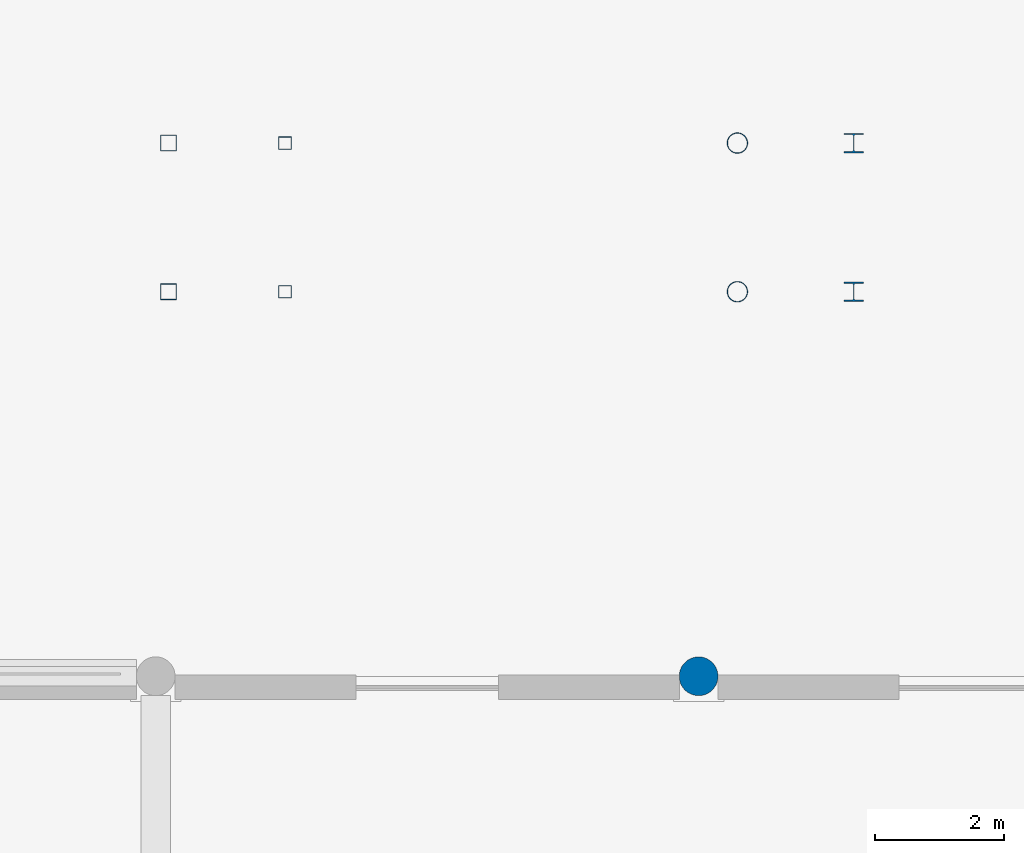
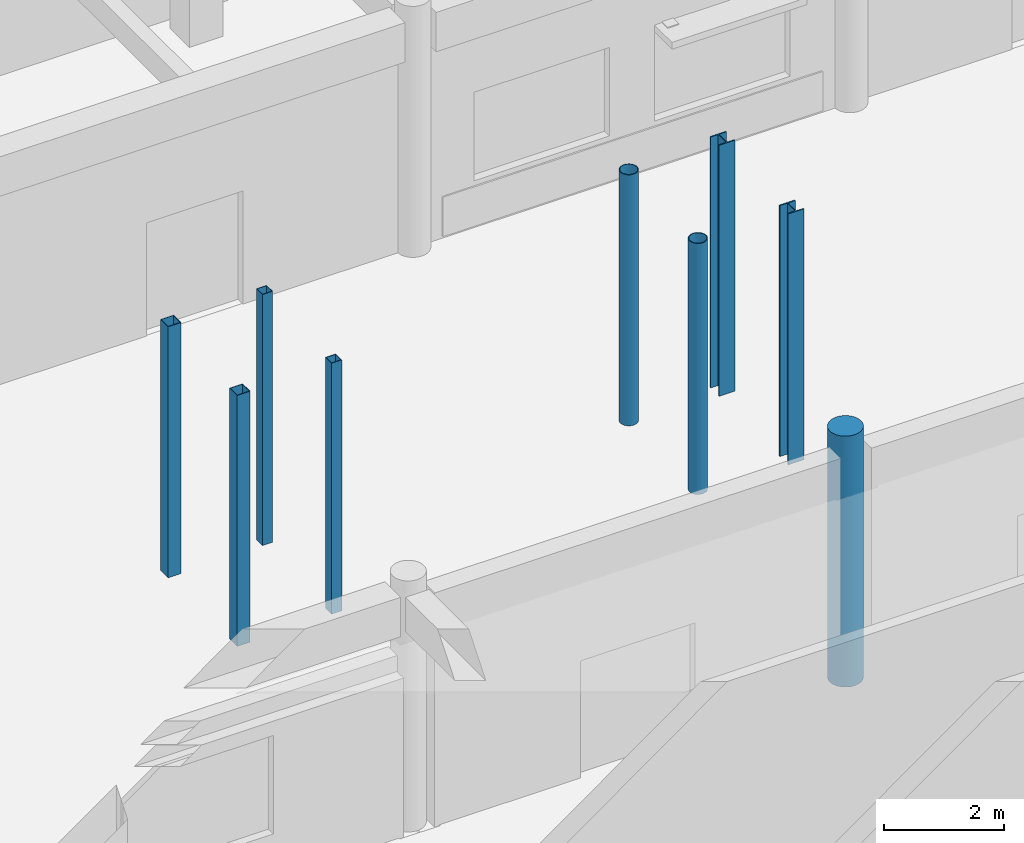
# One storey, part 4 of 121: 9 columns.
"""IFC4 building model written with IfcOpenShell, lengths in metres."""

from ifc_helpers import new_model, si_unit, direction, frame, origin, origin_2d, place, context, subcontext, project, spatial, hollow_rectangle, circle, hollow_circle, i_section, extrude, material, material_profile, profile_set, type_object, element, save


model = new_model("IFC4")

# Units and contexts
model_context = context("Model", 3, precision=1e-05, world=origin(), true_north=direction((0.0, 1.0)))
body_context = subcontext(model_context, "Body", "Model", "MODEL_VIEW")
ifc_project = project(units=[si_unit("LENGTHUNIT", "METRE"), si_unit("AREAUNIT", "SQUARE_METRE"), si_unit("VOLUMEUNIT", "CUBIC_METRE"), si_unit("PLANEANGLEUNIT", "RADIAN"), si_unit("MASSUNIT", "GRAM", prefix="KILO")], contexts=[model_context])

# Site, building, storey
site_placement = place(None, origin())
site = spatial("IfcSite", under=ifc_project, at=site_placement, CompositionType="ELEMENT")
building_placement = place(site_placement, origin())
building = spatial("IfcBuilding", under=site, at=building_placement, Name="Malvenik Polytechnic", CompositionType="ELEMENT")
storey_placement = place(building_placement, origin())
storey = spatial("IfcBuildingStorey", under=building, at=storey_placement, Name="L00", CompositionType="ELEMENT", Elevation=0.0)

# Columns
ifc_material_1 = material(Name="Concrete C35/45", Category="concrete")
ifc_material_profile_1 = material_profile(ifc_material_1, circle(Radius=0.300048828125, at=origin_2d()), Name="RC COL D600")
ifc_profile_set_1 = profile_set([ifc_material_profile_1], Name="Concrete C35/45")
column_type_1 = type_object("IfcColumnType", Name="STR-COL-C-18", PredefinedType="COLUMN", material=ifc_profile_set_1)
column_placement = place(storey_placement, frame((58.800048828125, 36.0, 0.0), z_axis=(0.0, 0.0, 1.0), x_axis=(1.0, 0.0, 0.0)))
element("IfcColumn", 1, at=column_placement, inside=storey, type_object=column_type_1, Name="Column C-18 L00 (58.8,36.0)", PredefinedType="COLUMN", context=body_context, shape_type="SweptSolid", body=[
    extrude(circle(Radius=0.300048828125, at=origin_2d()), origin(), (0.0, 0.0, 1.0), 5.10009765625),
])
ifc_material_2 = material(Name="Steel S355J2H", Category="steel")
ifc_material_profile_2 = material_profile(ifc_material_2, hollow_rectangle(XDim=0.25, YDim=0.25, WallThickness=0.010009765625, at=origin_2d()), Name="SHS 250x250x10.0")
ifc_profile_set_2 = profile_set([ifc_material_profile_2], Name="Steel S355J2H")
column_type_2 = type_object("IfcColumnType", Name="STR-SCOL-SC-01", PredefinedType="COLUMN", material=ifc_profile_set_2)
for number, where, z_axis, x_axis, name in (
    (2, (50.60009765625, 41.949951171875, 0.0), (0.0, 0.0, 1.0), (1.0, 0.0, 0.0), "Bridge-Ramp Support Column SC-01 L00"),
    (3, (50.60009765625, 44.25, 0.0), (0.0, 0.0, 1.0), (1.0, 0.0, 0.0), "Bridge-Ramp Support Column SC-01 L00"),
):
    element("IfcColumn", number, at=place(storey_placement, frame(where, z_axis=z_axis, x_axis=x_axis)), inside=storey, type_object=column_type_2, Name=name, PredefinedType="COLUMN", context=body_context, shape_type="SweptSolid", body=[
        extrude(hollow_rectangle(XDim=0.25, YDim=0.25, WallThickness=0.010009765625, at=origin_2d()), origin(), (0.0, 0.0, 1.0), 5.10009765625),
    ])
ifc_material_profile_3 = material_profile(ifc_material_2, hollow_rectangle(XDim=0.199951171875, YDim=0.199951171875, WallThickness=0.010009765625, at=origin_2d()), Name="SHS 200x200x10.0")
ifc_profile_set_3 = profile_set([ifc_material_profile_3], Name="Steel S355J2H")
column_type_3 = type_object("IfcColumnType", Name="STR-SCOL-SC-02", PredefinedType="COLUMN", material=ifc_profile_set_3)
for number, where, z_axis, x_axis, name in (
    (4, (52.39990234375, 41.949951171875, 0.0), (0.0, 0.0, 1.0), (1.0, 0.0, 0.0), "Bridge-Ramp Support Column SC-02 L00"),
    (5, (52.39990234375, 44.25, 0.0), (0.0, 0.0, 1.0), (1.0, 0.0, 0.0), "Bridge-Ramp Support Column SC-02 L00"),
):
    element("IfcColumn", number, at=place(storey_placement, frame(where, z_axis=z_axis, x_axis=x_axis)), inside=storey, type_object=column_type_3, Name=name, PredefinedType="COLUMN", context=body_context, shape_type="SweptSolid", body=[
        extrude(hollow_rectangle(XDim=0.199951171875, YDim=0.199951171875, WallThickness=0.010009765625, at=origin_2d()), origin(), (0.0, 0.0, 1.0), 5.10009765625),
    ])
ifc_material_profile_4 = material_profile(ifc_material_2, hollow_circle(Radius=0.161865234375, WallThickness=0.012451171875, at=origin_2d()), Name="CHS 323.9x12.5")
ifc_profile_set_4 = profile_set([ifc_material_profile_4], Name="Steel S355J2H")
column_type_4 = type_object("IfcColumnType", Name="STR-SCOL-SC-04", PredefinedType="COLUMN", material=ifc_profile_set_4)
for number, where, z_axis, x_axis, name in (
    (6, (59.39990234375, 41.949951171875, 0.0), (0.0, 0.0, 1.0), (1.0, 0.0, 0.0), "Bridge-Ramp Support Column SC-04 L00"),
    (7, (59.39990234375, 44.25, 0.0), (0.0, 0.0, 1.0), (1.0, 0.0, 0.0), "Bridge-Ramp Support Column SC-04 L00"),
):
    element("IfcColumn", number, at=place(storey_placement, frame(where, z_axis=z_axis, x_axis=x_axis)), inside=storey, type_object=column_type_4, Name=name, PredefinedType="COLUMN", context=body_context, shape_type="SweptSolid", body=[
        extrude(hollow_circle(Radius=0.161865234375, WallThickness=0.012451171875, at=origin_2d()), origin(), (0.0, 0.0, 1.0), 5.10009765625),
    ])
ifc_material_3 = material(Name="Steel S355", Category="steel")
ifc_material_profile_5 = material_profile(ifc_material_3, i_section(OverallWidth=0.300048828125, OverallDepth=0.300048828125, WebThickness=0.010986328125, FlangeThickness=0.01904296875, FilletRadius=0.027099609375, at=origin_2d()), Name="HEB 300")
ifc_profile_set_5 = profile_set([ifc_material_profile_5], Name="Steel S355")
column_type_5 = type_object("IfcColumnType", Name="STR-SCOL-SC-05", PredefinedType="COLUMN", material=ifc_profile_set_5)
for number, where, z_axis, x_axis, name in (
    (8, (61.199951171875, 41.949951171875, 0.0), (0.0, 0.0, 1.0), (1.0, 0.0, 0.0), "Bridge-Ramp Support Column SC-05 L00"),
    (9, (61.199951171875, 44.25, 0.0), (0.0, 0.0, 1.0), (1.0, 0.0, 0.0), "Bridge-Ramp Support Column SC-05 L00"),
):
    element("IfcColumn", number, at=place(storey_placement, frame(where, z_axis=z_axis, x_axis=x_axis)), inside=storey, type_object=column_type_5, Name=name, PredefinedType="COLUMN", context=body_context, shape_type="SweptSolid", body=[
        extrude(i_section(OverallWidth=0.300048828125, OverallDepth=0.300048828125, WebThickness=0.010986328125, FlangeThickness=0.01904296875, FilletRadius=0.027099609375, at=origin_2d()), origin(), (0.0, 0.0, 1.0), 5.10009765625),
    ])

save(model, "model.ifc")
